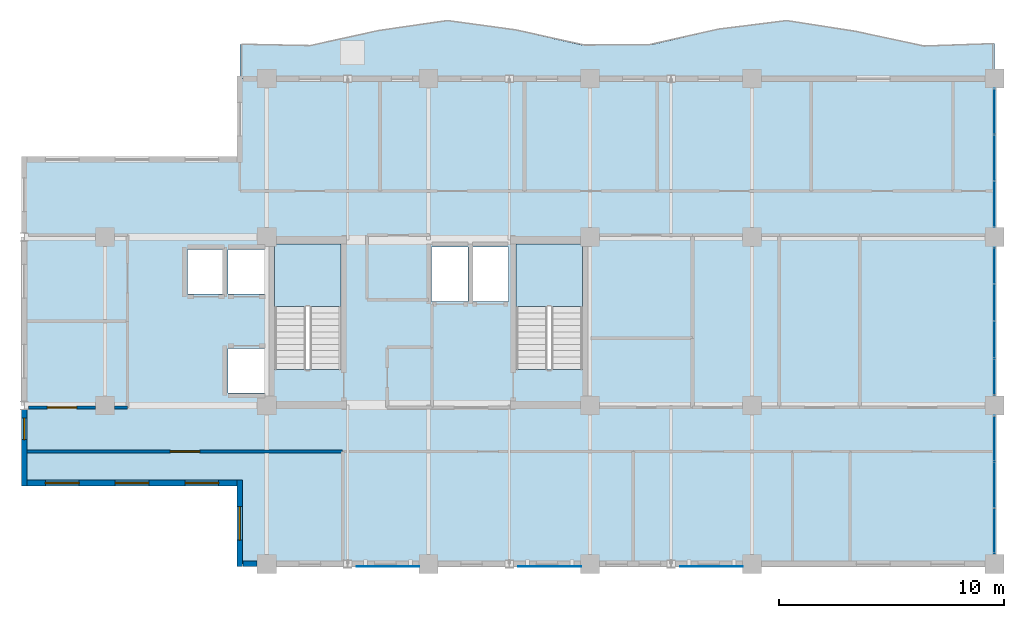
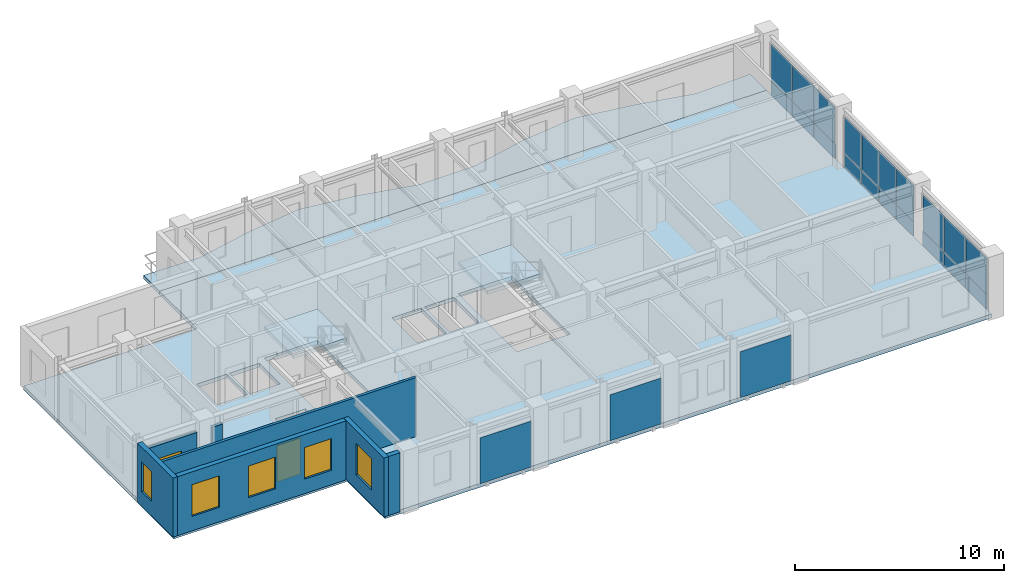
# One storey, part 5 of 10: 23 plates, 7 walls, 5 windows, 4 slabs, 2 doors, 7 openings, 5 elements without a shape of their own.
"""IFC4 building model written with IfcOpenShell, lengths in metres."""

from ifc_helpers import new_model, si_unit, direction, frame, frame_2d, origin, origin_2d, place, context, subcontext, project, spatial, polyline, rectangle, outline, extrude, source, transform, mapped, material, layer, layer_set, type_object, element, fill, aggregate, save


model = new_model("IFC4")

# Units and contexts
model_context = context("Model", 3, precision=1e-05, world=origin(), true_north=direction((0.0, 1.0)))
body_context = subcontext(model_context, "Body", "Model", "MODEL_VIEW")
ifc_project = project(units=[si_unit("LENGTHUNIT", "METRE"), si_unit("AREAUNIT", "SQUARE_METRE"), si_unit("VOLUMEUNIT", "CUBIC_METRE"), si_unit("PLANEANGLEUNIT", "RADIAN"), si_unit("MASSUNIT", "GRAM", prefix="KILO")], contexts=[model_context])

# Site, building, storey
site_placement = place(None, origin())
site = spatial("IfcSite", under=ifc_project, at=site_placement, CompositionType="ELEMENT")
building_placement = place(site_placement, origin())
building = spatial("IfcBuilding", under=site, at=building_placement, Name="Kaliganga Portal Commons", CompositionType="ELEMENT")
storey_placement = place(building_placement, frame((0.0, 0.0, 286.89990234375)))
storey = spatial("IfcBuildingStorey", under=building, at=storey_placement, Name="L74", CompositionType="ELEMENT", Elevation=286.89990234375)

# Slab
ifc_material_1 = material(Name="Concrete C40/50", Category="concrete")
ifc_layer_1 = layer(ifc_material_1, 0.2099609375)
ifc_layer_set_1 = layer_set([ifc_layer_1], Name="Concrete C40/50")
slab_type_1 = type_object("IfcSlabType", Name="SLB-BALC-210", PredefinedType="FLOOR", material=ifc_layer_set_1)
slab_1_placement = place(storey_placement, frame((0.0, 0.0, -0.2099609375)))
element("IfcSlab", 1, at=slab_1_placement, inside=storey, type_object=slab_type_1, Name="Scalloped Tree-Planter Balcony Slab L74 balc_north", PredefinedType="FLOOR", context=body_context, shape_type="SweptSolid", body=[
    extrude(outline(polyline([(46.800048828125, 43.199951171875), (46.800048828125, 44.760498046875), (43.74560546875, 44.65478515625), (40.69091796875, 45.313720703125), (37.636474609375, 45.797607421875), (34.581787109375, 45.416748046875), (31.52734375, 44.714111328125), (28.47265625, 44.69140625), (25.418212890625, 45.380859375), (22.363525390625, 45.7998046875), (19.30908203125, 45.350830078125), (16.25439453125, 44.674072265625), (13.199951171875, 44.734130859375), (13.199951171875, 43.199951171875), (46.800048828125, 43.199951171875)])), origin(), (0.0, 0.0, 1.0), 0.2099609375),
])

# Stair, slab
stair_type = type_object("IfcStairType", Name="ST-CORE-DOGLEG", PredefinedType="HALF_TURN_STAIR", material=ifc_material_1)
stair_1_placement = place(storey_placement, origin())
stair_1 = element("IfcStair", 2, at=stair_1_placement, inside=storey, type_object=stair_type, Name="L74 Protected Exit Stair ST-A1", PredefinedType="HALF_TURN_STAIR")
ifc_layer_2 = layer(ifc_material_1, 0.199951171875)
ifc_layer_set_2 = layer_set([ifc_layer_2], Name="Concrete C40/50")
slab_type_2 = type_object("IfcSlabType", Name="SLB-STAIR-LND", PredefinedType="LANDING", material=ifc_layer_set_2)
slab_2_placement = place(storey_placement, frame((0.0, 0.0, 1.650146484375)))
slab_2 = element("IfcSlab", 3, at=slab_2_placement, type_object=slab_type_2, Name="ST-A1 landing 1", PredefinedType="LANDING", context=body_context, shape_type="SweptSolid", body=[
    extrude(outline(polyline([(17.699951171875, 33.050048828125), (17.699951171875, 35.85009765625), (14.75, 35.85009765625), (14.75, 33.050048828125), (17.699951171875, 33.050048828125)])), origin(), (0.0, 0.0, 1.0), 0.199951171875),
])
aggregate(stair_1, [slab_2])

stair_2_placement = place(storey_placement, origin())
stair_2 = element("IfcStair", 4, at=stair_2_placement, inside=storey, type_object=stair_type, Name="L74 Protected Exit Stair ST-A2", PredefinedType="HALF_TURN_STAIR")
slab_3_placement = place(storey_placement, frame((0.0, 0.0, 1.650146484375)))
slab_3 = element("IfcSlab", 5, at=slab_3_placement, type_object=slab_type_2, Name="ST-A2 landing 1", PredefinedType="LANDING", context=body_context, shape_type="SweptSolid", body=[
    extrude(outline(polyline([(28.449951171875, 33.050048828125), (28.449951171875, 35.85009765625), (25.5, 35.85009765625), (25.5, 33.050048828125), (28.449951171875, 33.050048828125)])), origin(), (0.0, 0.0, 1.0), 0.199951171875),
])
aggregate(stair_2, [slab_3])

# Slab
ifc_layer_3 = layer(ifc_material_1, 0.22509765625)
ifc_layer_set_3 = layer_set([ifc_layer_3], Name="Concrete C40/50")
slab_type_3 = type_object("IfcSlabType", Name="SLB-TWR-220", PredefinedType="FLOOR", material=ifc_layer_set_3)
slab_4_placement = place(storey_placement, frame((0.0, 0.0, -0.224853515625)))
element("IfcSlab", 6, at=slab_4_placement, inside=storey, type_object=slab_type_3, Name="Structural Floor Slab L74", PredefinedType="FLOOR", context=body_context, shape_type="SweptSolid", body=[
    extrude(outline(polyline([(13.199951171875, 21.60009765625), (46.800048828125, 21.60009765625), (46.800048828125, 43.199951171875), (13.199951171875, 43.199951171875), (13.199951171875, 39.60009765625), (3.60009765625, 39.60009765625), (3.60009765625, 25.199951171875), (13.199951171875, 25.199951171875), (13.199951171875, 21.60009765625)]), holes=[polyline([(14.75, 30.25390625), (14.75, 35.85009765625), (17.699951171875, 35.85009765625), (17.699951171875, 30.25390625), (14.75, 30.25390625)]), polyline([(25.5, 30.25390625), (25.5, 35.85009765625), (28.449951171875, 35.85009765625), (28.449951171875, 30.25390625), (25.5, 30.25390625)]), polyline([(12.6650390625, 33.614990234375), (12.6650390625, 35.5849609375), (14.3349609375, 35.5849609375), (14.3349609375, 33.614990234375), (12.6650390625, 33.614990234375)]), polyline([(12.6650390625, 29.215087890625), (12.6650390625, 31.18505859375), (14.3349609375, 31.18505859375), (14.3349609375, 29.215087890625), (12.6650390625, 29.215087890625)]), polyline([(10.864990234375, 33.614990234375), (10.864990234375, 35.5849609375), (12.534912109375, 35.5849609375), (12.534912109375, 33.614990234375), (10.864990234375, 33.614990234375)]), polyline([(21.739990234375, 33.2900390625), (21.739990234375, 35.7099609375), (23.360107421875, 35.7099609375), (23.360107421875, 33.2900390625), (21.739990234375, 33.2900390625)]), polyline([(23.5400390625, 33.2900390625), (23.5400390625, 35.7099609375), (25.159912109375, 35.7099609375), (25.159912109375, 33.2900390625), (23.5400390625, 33.2900390625)])]), origin(), (0.0, 0.0, 1.0), 0.224853515625),
])

# Plates
ifc_material_2 = material(Name="Perforated Bronze-Anodized Aluminium Solar Screen", Category="aluminium")
ifc_layer_4 = layer(ifc_material_2, 0.01806640625)
ifc_layer_set_4 = layer_set([ifc_layer_4], Name="Perforated Bronze-Anodized Aluminium Solar Screen")
plate_type_1 = type_object("IfcPlateType", Name="PLT-SCR-18", PredefinedType="USERDEFINED", material=ifc_layer_set_4)
shared_shape_1 = source(origin(), body_context, "Body", "SweptSolid", [
    extrude(rectangle(XDim=2.800048828125, YDim=0.01806640625, at=origin_2d()), origin(), (0.0, 0.0, 1.0), 2.68994140625),
])
for number, where, z_axis, x_axis, name in (
    (7, (19.800048828125, 21.47998046875, 0.080078125), (0.0, 0.0, 1.0), (1.0, 0.0, 0.0), "Perforated Solar Screen L74-S1"),
    (8, (27.0, 21.47998046875, 0.080078125), (0.0, 0.0, 1.0), (1.0, 0.0, 0.0), "Perforated Solar Screen L74-S2"),
    (9, (34.199951171875, 21.47998046875, 0.080078125), (0.0, 0.0, 1.0), (1.0, 0.0, 0.0), "Perforated Solar Screen L74-S3"),
):
    element("IfcPlate", number, at=place(storey_placement, frame(where, z_axis=z_axis, x_axis=x_axis)), inside=storey, type_object=plate_type_1, Name=name, ObjectType="SOLAR SCREEN", PredefinedType="USERDEFINED", context=body_context, shape_type="MappedRepresentation", body=[
        mapped(shared_shape_1, transform((0.0, 0.0, 0.0), x_axis=(1.0, 0.0, 0.0), y_axis=(0.0, 1.0, 0.0), z_axis=(0.0, 0.0, 1.0), scale=1.0)),
    ])

# Curtain wall, plates
ifc_material_3 = material(Name="Anodized Aluminium and Laminated Low-E Glass", Category="aluminium")
ifc_layer_5 = layer(ifc_material_3, 0.18994140625)
ifc_layer_set_5 = layer_set([ifc_layer_5], Name="Anodized Aluminium and Laminated Low-E Glass")
curtain_wall_type = type_object("IfcCurtainWallType", Name="CW-SYS-05", PredefinedType="NOTDEFINED", material=ifc_layer_set_5)
curtain_wall_1_placement = place(storey_placement, origin())
curtain_wall_1 = element("IfcCurtainWall", 10, at=curtain_wall_1_placement, inside=storey, type_object=curtain_wall_type, Name="CW 05 L74 P1E01S1", PredefinedType="NOTDEFINED")
ifc_material_4 = material(Name="Insulated Dark Spandrel Panel", Category="metal")
ifc_layer_6 = layer(ifc_material_4, 0.044921875)
ifc_layer_set_6 = layer_set([ifc_layer_6], Name="Insulated Dark Spandrel Panel")
plate_type_2 = type_object("IfcPlateType", Name="PLT-SPN-45", PredefinedType="SHEET", material=ifc_layer_set_6)
shared_shape_2 = source(origin(), body_context, "Body", "SweptSolid", [
    extrude(rectangle(XDim=2.02587890625, YDim=0.044921875, at=origin_2d()), origin(), (0.0, 0.0, 1.0), 0.841064453125),
])
plate_1_placement = place(storey_placement, frame((46.800048828125, 23.05908203125, 0.01025390625), z_axis=(0.0, 0.0, 1.0), x_axis=(0.0, 1.0, 0.0)))
plate_1 = element("IfcPlate", 11, at=plate_1_placement, type_object=plate_type_2, Name="CW:05:L74:P1E01S1 Spandrel 00", PredefinedType="SHEET", context=body_context, shape_type="MappedRepresentation", body=[
    mapped(shared_shape_2, transform((0.0, 0.0, 0.0), x_axis=(1.0, 0.0, 0.0), y_axis=(0.0, 1.0, 0.0), z_axis=(0.0, 0.0, 1.0), scale=1.0)),
])
plate_2_placement = place(storey_placement, frame((46.800048828125, 25.125, 0.01025390625), z_axis=(0.0, 0.0, 1.0), x_axis=(0.0, 1.0, 0.0)))
plate_2 = element("IfcPlate", 12, at=plate_2_placement, type_object=plate_type_2, Name="CW:05:L74:P1E01S1 Spandrel 01", PredefinedType="SHEET", context=body_context, shape_type="MappedRepresentation", body=[
    mapped(shared_shape_2, transform((0.0, 0.0, 0.0), x_axis=(1.0, 0.0, 0.0), y_axis=(0.0, 1.0, 0.0), z_axis=(0.0, 0.0, 1.0), scale=1.0)),
])
plate_3_placement = place(storey_placement, frame((46.800048828125, 27.19091796875, 0.01025390625), z_axis=(0.0, 0.0, 1.0), x_axis=(0.0, 1.0, 0.0)))
plate_3 = element("IfcPlate", 13, at=plate_3_placement, type_object=plate_type_2, Name="CW:05:L74:P1E01S1 Spandrel 02", PredefinedType="SHEET", context=body_context, shape_type="MappedRepresentation", body=[
    mapped(shared_shape_2, transform((0.0, 0.0, 0.0), x_axis=(1.0, 0.0, 0.0), y_axis=(0.0, 1.0, 0.0), z_axis=(0.0, 0.0, 1.0), scale=1.0)),
])

curtain_wall_2_placement = place(storey_placement, origin())
curtain_wall_2 = element("IfcCurtainWall", 14, at=curtain_wall_2_placement, inside=storey, type_object=curtain_wall_type, Name="CW 05 L74 P1E01S3", PredefinedType="NOTDEFINED")
plate_4_placement = place(storey_placement, frame((46.800048828125, 37.60888671875, 0.01025390625), z_axis=(0.0, 0.0, 1.0), x_axis=(0.0, 1.0, 0.0)))
plate_4 = element("IfcPlate", 15, at=plate_4_placement, type_object=plate_type_2, Name="CW:05:L74:P1E01S3 Spandrel 00", PredefinedType="SHEET", context=body_context, shape_type="MappedRepresentation", body=[
    mapped(shared_shape_2, transform((0.0, 0.0, 0.0), x_axis=(1.0, 0.0, 0.0), y_axis=(0.0, 1.0, 0.0), z_axis=(0.0, 0.0, 1.0), scale=1.0)),
])
plate_5_placement = place(storey_placement, frame((46.800048828125, 39.675048828125, 0.01025390625), z_axis=(0.0, 0.0, 1.0), x_axis=(0.0, 1.0, 0.0)))
plate_5 = element("IfcPlate", 16, at=plate_5_placement, type_object=plate_type_2, Name="CW:05:L74:P1E01S3 Spandrel 01", PredefinedType="SHEET", context=body_context, shape_type="MappedRepresentation", body=[
    mapped(shared_shape_2, transform((0.0, 0.0, 0.0), x_axis=(1.0, 0.0, 0.0), y_axis=(0.0, 1.0, 0.0), z_axis=(0.0, 0.0, 1.0), scale=1.0)),
])
plate_6_placement = place(storey_placement, frame((46.800048828125, 41.740966796875, 0.01025390625), z_axis=(0.0, 0.0, 1.0), x_axis=(0.0, 1.0, 0.0)))
plate_6 = element("IfcPlate", 17, at=plate_6_placement, type_object=plate_type_2, Name="CW:05:L74:P1E01S3 Spandrel 02", PredefinedType="SHEET", context=body_context, shape_type="MappedRepresentation", body=[
    mapped(shared_shape_2, transform((0.0, 0.0, 0.0), x_axis=(1.0, 0.0, 0.0), y_axis=(0.0, 1.0, 0.0), z_axis=(0.0, 0.0, 1.0), scale=1.0)),
])

# Plate
ifc_material_5 = material(Name="Dark Solar-Control Laminated Low-E IGU", Category="glass")
ifc_layer_7 = layer(ifc_material_5, 0.028076171875)
ifc_layer_set_7 = layer_set([ifc_layer_7], Name="Dark Solar-Control Laminated Low-E IGU")
plate_type_3 = type_object("IfcPlateType", Name="PLT-GLZ-28", PredefinedType="CURTAIN_PANEL", material=ifc_layer_set_7)
shared_shape_3 = source(origin(), body_context, "Body", "SweptSolid", [
    extrude(rectangle(XDim=2.02587890625, YDim=0.028076171875, at=origin_2d()), origin(), (0.0, 0.0, 1.0), 2.114013671875),
])
plate_7_placement = place(storey_placement, frame((46.800048828125, 23.05908203125, 0.87109375), z_axis=(0.0, 0.0, 1.0), x_axis=(0.0, 1.0, 0.0)))
plate_7 = element("IfcPlate", 18, at=plate_7_placement, type_object=plate_type_3, Name="CW:05:L74:P1E01S1 Vision IGU 00", PredefinedType="CURTAIN_PANEL", context=body_context, shape_type="MappedRepresentation", body=[
    mapped(shared_shape_3, transform((0.0, 0.0, 0.0), x_axis=(1.0, 0.0, 0.0), y_axis=(0.0, 1.0, 0.0), z_axis=(0.0, 0.0, 1.0), scale=1.0)),
])

plate_8_placement = place(storey_placement, frame((46.800048828125, 25.125, 0.87109375), z_axis=(0.0, 0.0, 1.0), x_axis=(0.0, 1.0, 0.0)))
plate_8 = element("IfcPlate", 19, at=plate_8_placement, type_object=plate_type_3, Name="CW:05:L74:P1E01S1 Vision IGU 01", PredefinedType="CURTAIN_PANEL", context=body_context, shape_type="MappedRepresentation", body=[
    mapped(shared_shape_3, transform((0.0, 0.0, 0.0), x_axis=(1.0, 0.0, 0.0), y_axis=(0.0, 1.0, 0.0), z_axis=(0.0, 0.0, 1.0), scale=1.0)),
])

plate_9_placement = place(storey_placement, frame((46.800048828125, 27.19091796875, 0.87109375), z_axis=(0.0, 0.0, 1.0), x_axis=(0.0, 1.0, 0.0)))
plate_9 = element("IfcPlate", 20, at=plate_9_placement, type_object=plate_type_3, Name="CW:05:L74:P1E01S1 Vision IGU 02", PredefinedType="CURTAIN_PANEL", context=body_context, shape_type="MappedRepresentation", body=[
    mapped(shared_shape_3, transform((0.0, 0.0, 0.0), x_axis=(1.0, 0.0, 0.0), y_axis=(0.0, 1.0, 0.0), z_axis=(0.0, 0.0, 1.0), scale=1.0)),
])

aggregate(curtain_wall_1, [plate_1, plate_7, plate_2, plate_8, plate_3, plate_9])

plate_10_placement = place(storey_placement, frame((46.800048828125, 37.60888671875, 0.87109375), z_axis=(0.0, 0.0, 1.0), x_axis=(0.0, 1.0, 0.0)))
plate_10 = element("IfcPlate", 21, at=plate_10_placement, type_object=plate_type_3, Name="CW:05:L74:P1E01S3 Vision IGU 00", PredefinedType="CURTAIN_PANEL", context=body_context, shape_type="MappedRepresentation", body=[
    mapped(shared_shape_3, transform((0.0, 0.0, 0.0), x_axis=(1.0, 0.0, 0.0), y_axis=(0.0, 1.0, 0.0), z_axis=(0.0, 0.0, 1.0), scale=1.0)),
])

plate_11_placement = place(storey_placement, frame((46.800048828125, 39.675048828125, 0.87109375), z_axis=(0.0, 0.0, 1.0), x_axis=(0.0, 1.0, 0.0)))
plate_11 = element("IfcPlate", 22, at=plate_11_placement, type_object=plate_type_3, Name="CW:05:L74:P1E01S3 Vision IGU 01", PredefinedType="CURTAIN_PANEL", context=body_context, shape_type="MappedRepresentation", body=[
    mapped(shared_shape_3, transform((0.0, 0.0, 0.0), x_axis=(1.0, 0.0, 0.0), y_axis=(0.0, 1.0, 0.0), z_axis=(0.0, 0.0, 1.0), scale=1.0)),
])

plate_12_placement = place(storey_placement, frame((46.800048828125, 41.740966796875, 0.87109375), z_axis=(0.0, 0.0, 1.0), x_axis=(0.0, 1.0, 0.0)))
plate_12 = element("IfcPlate", 23, at=plate_12_placement, type_object=plate_type_3, Name="CW:05:L74:P1E01S3 Vision IGU 02", PredefinedType="CURTAIN_PANEL", context=body_context, shape_type="MappedRepresentation", body=[
    mapped(shared_shape_3, transform((0.0, 0.0, 0.0), x_axis=(1.0, 0.0, 0.0), y_axis=(0.0, 1.0, 0.0), z_axis=(0.0, 0.0, 1.0), scale=1.0)),
])

aggregate(curtain_wall_2, [plate_4, plate_10, plate_5, plate_11, plate_6, plate_12])

# Curtain wall, plates
curtain_wall_3_placement = place(storey_placement, origin())
curtain_wall_3 = element("IfcCurtainWall", 24, at=curtain_wall_3_placement, inside=storey, type_object=curtain_wall_type, Name="CW 05 L74 P1E01S2", PredefinedType="NOTDEFINED")
shared_shape_4 = source(origin(), body_context, "Body", "SweptSolid", [
    extrude(rectangle(XDim=1.6220703125, YDim=0.044921875, at=origin_2d()), origin(), (0.0, 0.0, 1.0), 0.841064453125),
])
plate_13_placement = place(storey_placement, frame((46.800048828125, 29.906982421875, 0.01025390625), z_axis=(0.0, 0.0, 1.0), x_axis=(0.0, 1.0, 0.0)))
plate_13 = element("IfcPlate", 25, at=plate_13_placement, type_object=plate_type_2, Name="CW:05:L74:P1E01S2 Spandrel 00", PredefinedType="SHEET", context=body_context, shape_type="MappedRepresentation", body=[
    mapped(shared_shape_4, transform((0.0, 0.0, 0.0), x_axis=(1.0, 0.0, 0.0), y_axis=(0.0, 1.0, 0.0), z_axis=(0.0, 0.0, 1.0), scale=1.0)),
])
plate_14_placement = place(storey_placement, frame((46.800048828125, 31.569091796875, 0.01025390625), z_axis=(0.0, 0.0, 1.0), x_axis=(0.0, 1.0, 0.0)))
plate_14 = element("IfcPlate", 26, at=plate_14_placement, type_object=plate_type_2, Name="CW:05:L74:P1E01S2 Spandrel 01", PredefinedType="SHEET", context=body_context, shape_type="MappedRepresentation", body=[
    mapped(shared_shape_4, transform((0.0, 0.0, 0.0), x_axis=(1.0, 0.0, 0.0), y_axis=(0.0, 1.0, 0.0), z_axis=(0.0, 0.0, 1.0), scale=1.0)),
])
plate_15_placement = place(storey_placement, frame((46.800048828125, 33.23095703125, 0.01025390625), z_axis=(0.0, 0.0, 1.0), x_axis=(0.0, 1.0, 0.0)))
plate_15 = element("IfcPlate", 27, at=plate_15_placement, type_object=plate_type_2, Name="CW:05:L74:P1E01S2 Spandrel 02", PredefinedType="SHEET", context=body_context, shape_type="MappedRepresentation", body=[
    mapped(shared_shape_4, transform((0.0, 0.0, 0.0), x_axis=(1.0, 0.0, 0.0), y_axis=(0.0, 1.0, 0.0), z_axis=(0.0, 0.0, 1.0), scale=1.0)),
])
plate_16_placement = place(storey_placement, frame((46.800048828125, 34.89306640625, 0.01025390625), z_axis=(0.0, 0.0, 1.0), x_axis=(0.0, 1.0, 0.0)))
plate_16 = element("IfcPlate", 28, at=plate_16_placement, type_object=plate_type_2, Name="CW:05:L74:P1E01S2 Spandrel 03", PredefinedType="SHEET", context=body_context, shape_type="MappedRepresentation", body=[
    mapped(shared_shape_4, transform((0.0, 0.0, 0.0), x_axis=(1.0, 0.0, 0.0), y_axis=(0.0, 1.0, 0.0), z_axis=(0.0, 0.0, 1.0), scale=1.0)),
])
shared_shape_5 = source(origin(), body_context, "Body", "SweptSolid", [
    extrude(rectangle(XDim=1.6220703125, YDim=0.028076171875, at=origin_2d()), origin(), (0.0, 0.0, 1.0), 2.114013671875),
])
plate_17_placement = place(storey_placement, frame((46.800048828125, 29.906982421875, 0.87109375), z_axis=(0.0, 0.0, 1.0), x_axis=(0.0, 1.0, 0.0)))
plate_17 = element("IfcPlate", 29, at=plate_17_placement, type_object=plate_type_3, Name="CW:05:L74:P1E01S2 Vision IGU 00", PredefinedType="CURTAIN_PANEL", context=body_context, shape_type="MappedRepresentation", body=[
    mapped(shared_shape_5, transform((0.0, 0.0, 0.0), x_axis=(1.0, 0.0, 0.0), y_axis=(0.0, 1.0, 0.0), z_axis=(0.0, 0.0, 1.0), scale=1.0)),
])
plate_18_placement = place(storey_placement, frame((46.800048828125, 31.569091796875, 0.87109375), z_axis=(0.0, 0.0, 1.0), x_axis=(0.0, 1.0, 0.0)))
plate_18 = element("IfcPlate", 30, at=plate_18_placement, type_object=plate_type_3, Name="CW:05:L74:P1E01S2 Vision IGU 01", PredefinedType="CURTAIN_PANEL", context=body_context, shape_type="MappedRepresentation", body=[
    mapped(shared_shape_5, transform((0.0, 0.0, 0.0), x_axis=(1.0, 0.0, 0.0), y_axis=(0.0, 1.0, 0.0), z_axis=(0.0, 0.0, 1.0), scale=1.0)),
])
plate_19_placement = place(storey_placement, frame((46.800048828125, 33.23095703125, 0.87109375), z_axis=(0.0, 0.0, 1.0), x_axis=(0.0, 1.0, 0.0)))
plate_19 = element("IfcPlate", 31, at=plate_19_placement, type_object=plate_type_3, Name="CW:05:L74:P1E01S2 Vision IGU 02", PredefinedType="CURTAIN_PANEL", context=body_context, shape_type="MappedRepresentation", body=[
    mapped(shared_shape_5, transform((0.0, 0.0, 0.0), x_axis=(1.0, 0.0, 0.0), y_axis=(0.0, 1.0, 0.0), z_axis=(0.0, 0.0, 1.0), scale=1.0)),
])
plate_20_placement = place(storey_placement, frame((46.800048828125, 34.89306640625, 0.87109375), z_axis=(0.0, 0.0, 1.0), x_axis=(0.0, 1.0, 0.0)))
plate_20 = element("IfcPlate", 32, at=plate_20_placement, type_object=plate_type_3, Name="CW:05:L74:P1E01S2 Vision IGU 03", PredefinedType="CURTAIN_PANEL", context=body_context, shape_type="MappedRepresentation", body=[
    mapped(shared_shape_5, transform((0.0, 0.0, 0.0), x_axis=(1.0, 0.0, 0.0), y_axis=(0.0, 1.0, 0.0), z_axis=(0.0, 0.0, 1.0), scale=1.0)),
])
aggregate(curtain_wall_3, [plate_13, plate_17, plate_14, plate_18, plate_15, plate_19, plate_16, plate_20])

# Wall
ifc_material_6 = material(Name="Insulated Aluminium-Clad Spandrel Assembly", Category="aluminium")
ifc_layer_8 = layer(ifc_material_6, 0.260009765625)
ifc_layer_set_8 = layer_set([ifc_layer_8], Name="Insulated Aluminium-Clad Spandrel Assembly")
wall_type_1 = type_object("IfcWallType", Name="WL-EXT-SPAND-260", PredefinedType="STANDARD", material=ifc_layer_set_8)
wall_1_placement = place(storey_placement, frame((13.97412109375, 21.60009765625, 0.0), z_axis=(0.0, 0.0, 1.0), x_axis=(-1.0, 0.0, 0.0)))
element("IfcWall", 33, at=wall_1_placement, inside=storey, type_object=wall_type_1, Name="Exterior Envelope Wall L74 P1-E00-S1", PredefinedType="STANDARD", context=body_context, shape_type="SweptSolid", body=[
    extrude(rectangle(XDim=0.63916015625, YDim=0.260009765625, at=frame_2d((0.319580078125, 0.0))), origin(), (0.0, 0.0, 1.0), 3.455078125),
])

# Wall, opening, window
wall_2_placement = place(storey_placement, frame((3.60009765625, 25.070068359375, 0.0), z_axis=(0.0, 0.0, 1.0), x_axis=(0.0, 1.0, 0.0)))
wall_2 = element("IfcWall", 34, at=wall_2_placement, inside=storey, type_object=wall_type_1, Name="Exterior Envelope Wall L74 P1-E05-S3", PredefinedType="STANDARD", context=body_context, shape_type="SweptSolid", body=[
    extrude(rectangle(XDim=3.392822265625, YDim=0.260009765625, at=frame_2d((1.6962890625, 0.0))), origin(), (0.0, 0.0, 1.0), 3.455078125),
])
opening_1_placement = place(wall_2_placement, frame((2.06298828125, 0.0, 0.85009765625)))
opening_1 = element("IfcOpeningElement", 35, at=opening_1_placement, cuts=wall_2, Name="Opening W-04", PredefinedType="OPENING", context=body_context, shape_type="SweptSolid", body=[
    extrude(rectangle(XDim=0.949951171875, YDim=1.75, at=frame_2d((0.47509765625, 0.875))), frame((0.0, 0.14013671875, 0.0), z_axis=(0.0, -1.0, 0.0), x_axis=(1.0, 0.0, 0.0)), (0.0, 0.0, 1.0), 0.280029296875),
])
ifc_material_7 = material(Name="Thermally Broken Aluminium and Low-E Double Glazing", Category="aluminium")
window_type_1 = type_object("IfcWindowType", Name="WIN-NARROW-950", PartitioningType="SINGLE_PANEL", PredefinedType="WINDOW", material=ifc_material_7)
window_1_placement = place(opening_1_placement, origin())
window_1 = element("IfcWindow", 36, at=window_1_placement, inside=storey, type_object=window_type_1, Name="Facade Window L74-P1E05S3-N2", OverallHeight=1.75, OverallWidth=0.949951171875, PartitioningType="SINGLE_PANEL", PredefinedType="WINDOW", context=body_context, shape_type="SweptSolid", body=[
    extrude(rectangle(XDim=0.949951171875, YDim=1.75, at=frame_2d((0.47509765625, 0.875))), frame((0.0, 0.030029296875, 0.0), z_axis=(0.0, -1.0, 0.0), x_axis=(1.0, 0.0, 0.0)), (0.0, 0.0, 1.0), 0.06005859375),
])
fill(opening_1, window_1)

# Wall, openings, windows
wall_3_placement = place(storey_placement, frame((13.06494140625, 25.199951171875, 0.0), z_axis=(0.0, 0.0, 1.0), x_axis=(-1.0, 0.0, 0.0)))
wall_3 = element("IfcWall", 37, at=wall_3_placement, inside=storey, type_object=wall_type_1, Name="Exterior Envelope Wall L74 P1-E06-S1", PredefinedType="STANDARD", context=body_context, shape_type="SweptSolid", body=[
    extrude(rectangle(XDim=9.329833984375, YDim=0.260009765625, at=frame_2d((4.6650390625, 0.0))), origin(), (0.0, 0.0, 1.0), 3.455078125),
])
opening_2_placement = place(wall_3_placement, frame((0.804931640625, 0.0, 0.85009765625)))
opening_2 = element("IfcOpeningElement", 38, at=opening_2_placement, cuts=wall_3, Name="Opening W-02", PredefinedType="OPENING", context=body_context, shape_type="SweptSolid", body=[
    extrude(rectangle(XDim=1.5, YDim=1.85009765625, at=frame_2d((0.75, 0.925048828125))), frame((0.0, 0.14013671875, 0.0), z_axis=(0.0, -1.0, 0.0), x_axis=(1.0, 0.0, 0.0)), (0.0, 0.0, 1.0), 0.280029296875),
])
opening_3_placement = place(wall_3_placement, frame((3.9150390625, 0.0, 0.85009765625)))
opening_3 = element("IfcOpeningElement", 39, at=opening_3_placement, cuts=wall_3, Name="Opening W-02", PredefinedType="OPENING", context=body_context, shape_type="SweptSolid", body=[
    extrude(rectangle(XDim=1.5, YDim=1.85009765625, at=frame_2d((0.75, 0.925048828125))), frame((0.0, 0.14013671875, 0.0), z_axis=(0.0, -1.0, 0.0), x_axis=(1.0, 0.0, 0.0)), (0.0, 0.0, 1.0), 0.280029296875),
])
opening_4_placement = place(wall_3_placement, frame((7.02490234375, 0.0, 0.85009765625)))
opening_4 = element("IfcOpeningElement", 40, at=opening_4_placement, cuts=wall_3, Name="Opening W-02", PredefinedType="OPENING", context=body_context, shape_type="SweptSolid", body=[
    extrude(rectangle(XDim=1.5, YDim=1.85009765625, at=frame_2d((0.75, 0.925048828125))), frame((0.0, 0.14013671875, 0.0), z_axis=(0.0, -1.0, 0.0), x_axis=(1.0, 0.0, 0.0)), (0.0, 0.0, 1.0), 0.280029296875),
])
window_type_2 = type_object("IfcWindowType", Name="WIN-STD-1500", PartitioningType="DOUBLE_PANEL_VERTICAL", PredefinedType="WINDOW", material=ifc_material_7)
window_2_placement = place(opening_2_placement, origin())
window_2 = element("IfcWindow", 41, at=window_2_placement, inside=storey, type_object=window_type_2, Name="Facade Window L74-P1E06S1-00", OverallHeight=1.85009765625, OverallWidth=1.5, PartitioningType="SINGLE_PANEL", PredefinedType="WINDOW", context=body_context, shape_type="SweptSolid", body=[
    extrude(rectangle(XDim=1.5, YDim=1.85009765625, at=frame_2d((0.75, 0.925048828125))), frame((0.0, 0.030029296875, 0.0), z_axis=(0.0, -1.0, 0.0), x_axis=(1.0, 0.0, 0.0)), (0.0, 0.0, 1.0), 0.06005859375),
])
fill(opening_2, window_2)
window_3_placement = place(opening_3_placement, origin())
window_3 = element("IfcWindow", 42, at=window_3_placement, inside=storey, type_object=window_type_2, Name="Facade Window L74-P1E06S1-01", OverallHeight=1.85009765625, OverallWidth=1.5, PartitioningType="SINGLE_PANEL", PredefinedType="WINDOW", context=body_context, shape_type="SweptSolid", body=[
    extrude(rectangle(XDim=1.5, YDim=1.85009765625, at=frame_2d((0.75, 0.925048828125))), frame((0.0, 0.030029296875, 0.0), z_axis=(0.0, -1.0, 0.0), x_axis=(1.0, 0.0, 0.0)), (0.0, 0.0, 1.0), 0.06005859375),
])
fill(opening_3, window_3)
window_4_placement = place(opening_4_placement, origin())
window_4 = element("IfcWindow", 43, at=window_4_placement, inside=storey, type_object=window_type_2, Name="Facade Window L74-P1E06S1-02", OverallHeight=1.85009765625, OverallWidth=1.5, PartitioningType="SINGLE_PANEL", PredefinedType="WINDOW", context=body_context, shape_type="SweptSolid", body=[
    extrude(rectangle(XDim=1.5, YDim=1.85009765625, at=frame_2d((0.75, 0.925048828125))), frame((0.0, 0.030029296875, 0.0), z_axis=(0.0, -1.0, 0.0), x_axis=(1.0, 0.0, 0.0)), (0.0, 0.0, 1.0), 0.06005859375),
])
fill(opening_4, window_4)

# Wall, opening, window
wall_4_placement = place(storey_placement, frame((13.199951171875, 21.469970703125, 0.0), z_axis=(0.0, 0.0, 1.0), x_axis=(0.0, 1.0, 0.0)))
wall_4 = element("IfcWall", 44, at=wall_4_placement, inside=storey, type_object=wall_type_1, Name="Exterior Envelope Wall L74 P1-E07-S1", PredefinedType="STANDARD", context=body_context, shape_type="SweptSolid", body=[
    extrude(rectangle(XDim=3.860107421875, YDim=0.260009765625, at=frame_2d((1.93017578125, 0.0))), origin(), (0.0, 0.0, 1.0), 3.455078125),
])
opening_5_placement = place(wall_4_placement, frame((1.179931640625, 0.0, 0.85009765625)))
opening_5 = element("IfcOpeningElement", 45, at=opening_5_placement, cuts=wall_4, Name="Opening W-02", PredefinedType="OPENING", context=body_context, shape_type="SweptSolid", body=[
    extrude(rectangle(XDim=1.5, YDim=1.85009765625, at=frame_2d((0.75, 0.925048828125))), frame((0.0, 0.14013671875, 0.0), z_axis=(0.0, -1.0, 0.0), x_axis=(1.0, 0.0, 0.0)), (0.0, 0.0, 1.0), 0.280029296875),
])
window_5_placement = place(opening_5_placement, origin())
window_5 = element("IfcWindow", 46, at=window_5_placement, inside=storey, type_object=window_type_2, Name="Facade Window L74-P1E07S1-00", OverallHeight=1.85009765625, OverallWidth=1.5, PartitioningType="SINGLE_PANEL", PredefinedType="WINDOW", context=body_context, shape_type="SweptSolid", body=[
    extrude(rectangle(XDim=1.5, YDim=1.85009765625, at=frame_2d((0.75, 0.925048828125))), frame((0.0, 0.030029296875, 0.0), z_axis=(0.0, -1.0, 0.0), x_axis=(1.0, 0.0, 0.0)), (0.0, 0.0, 1.0), 0.06005859375),
])
fill(opening_5, window_5)

# Wall, opening, door
ifc_material_8 = material(Name="Fire-Rated Gypsum Board on Steel Stud", Category="steel")
ifc_layer_9 = layer(ifc_material_8, 0.14990234375)
ifc_layer_set_9 = layer_set([ifc_layer_9], Name="Fire-Rated Gypsum Board on Steel Stud")
wall_type_2 = type_object("IfcWallType", Name="WL-PART-CORR-150", PredefinedType="PARTITIONING", material=ifc_layer_set_9)
wall_5_placement = place(storey_placement, frame((3.73193359375, 26.60009765625, 0.0), z_axis=(0.0, 0.0, 1.0), x_axis=(1.0, 0.0, 0.0)))
wall_5 = element("IfcWall", 47, at=wall_5_placement, inside=storey, type_object=wall_type_2, Name="Interior Partition L74-001", PredefinedType="PARTITIONING", context=body_context, shape_type="SweptSolid", body=[
    extrude(rectangle(XDim=14.048095703125, YDim=0.14990234375, at=frame_2d((7.02392578125, 0.0))), origin(), (0.0, 0.0, 1.0), 3.455078125),
])
opening_6_placement = place(wall_5_placement, frame((6.3740234375, 0.0, 0.0)))
opening_6 = element("IfcOpeningElement", 48, at=opening_6_placement, cuts=wall_5, Name="Opening RD-03", PredefinedType="OPENING", context=body_context, shape_type="SweptSolid", body=[
    extrude(rectangle(XDim=1.300048828125, YDim=2.1201171875, at=frame_2d((0.64990234375, 1.06005859375))), frame((0.0, 0.0849609375, 0.0), z_axis=(0.0, -1.0, 0.0), x_axis=(1.0, 0.0, 0.0)), (0.0, 0.0, 1.0), 0.169921875),
])
ifc_material_9 = material(Name="Glazed Timber Seminar Vision Door", Category="wood")
door_type = type_object("IfcDoorType", Name="DR-STUDY-1300", OperationType="DOUBLE_DOOR_SINGLE_SWING", PredefinedType="DOOR", material=ifc_material_9)
door_1_placement = place(opening_6_placement, origin())
door_1 = element("IfcDoor", 49, at=door_1_placement, inside=storey, type_object=door_type, Name="Interior Door L74-AS01", OperationType="DOUBLE_DOOR_SINGLE_SWING", OverallHeight=2.1201171875, OverallWidth=1.300048828125, PredefinedType="DOOR", context=body_context, shape_type="SweptSolid", body=[
    extrude(rectangle(XDim=1.300048828125, YDim=2.1201171875, at=frame_2d((0.64990234375, 1.06005859375))), frame((0.0, 0.02490234375, 0.0), z_axis=(0.0, -1.0, 0.0), x_axis=(1.0, 0.0, 0.0)), (0.0, 0.0, 1.0), 0.050048828125),
])
fill(opening_6, door_1)

wall_6_placement = place(storey_placement, frame((3.787109375, 28.56005859375, 0.0), z_axis=(0.0, 0.0, 1.0), x_axis=(1.0, 0.0, 0.0)))
wall_6 = element("IfcWall", 50, at=wall_6_placement, inside=storey, type_object=wall_type_2, Name="Interior Partition L74-012", PredefinedType="PARTITIONING", context=body_context, shape_type="SweptSolid", body=[
    extrude(rectangle(XDim=2.98779296875, YDim=0.14990234375, at=frame_2d((1.493896484375, 0.0))), origin(), (0.0, 0.0, 1.0), 2.905029296875),
])
opening_7_placement = place(wall_6_placement, frame((0.843994140625, 0.0, 0.0)))
opening_7 = element("IfcOpeningElement", 51, at=opening_7_placement, cuts=wall_6, Name="Opening RD-03", PredefinedType="OPENING", context=body_context, shape_type="SweptSolid", body=[
    extrude(rectangle(XDim=1.300048828125, YDim=2.1201171875, at=frame_2d((0.64990234375, 1.06005859375))), frame((0.0, 0.0849609375, 0.0), z_axis=(0.0, -1.0, 0.0), x_axis=(1.0, 0.0, 0.0)), (0.0, 0.0, 1.0), 0.169921875),
])
door_2_placement = place(opening_7_placement, origin())
door_2 = element("IfcDoor", 52, at=door_2_placement, inside=storey, type_object=door_type, Name="Interior Door L74-AW01", OperationType="DOUBLE_DOOR_SINGLE_SWING", OverallHeight=2.1201171875, OverallWidth=1.300048828125, PredefinedType="DOOR", context=body_context, shape_type="SweptSolid", body=[
    extrude(rectangle(XDim=1.300048828125, YDim=2.1201171875, at=frame_2d((0.64990234375, 1.06005859375))), frame((0.0, 0.02490234375, 0.0), z_axis=(0.0, -1.0, 0.0), x_axis=(1.0, 0.0, 0.0)), (0.0, 0.0, 1.0), 0.050048828125),
])
fill(opening_7, door_2)

# Wall
wall_7_placement = place(storey_placement, frame((7.625, 28.56005859375, 0.0), z_axis=(0.0, 0.0, 1.0), x_axis=(1.0, 0.0, 0.0)))
element("IfcWall", 53, at=wall_7_placement, inside=storey, type_object=wall_type_2, Name="Interior Partition L74-013", PredefinedType="PARTITIONING", context=body_context, shape_type="SweptSolid", body=[
    extrude(rectangle(XDim=0.574951171875, YDim=0.14990234375, at=frame_2d((0.28759765625, 0.0))), origin(), (0.0, 0.0, 1.0), 2.905029296875),
])

save(model, "model.ifc")
